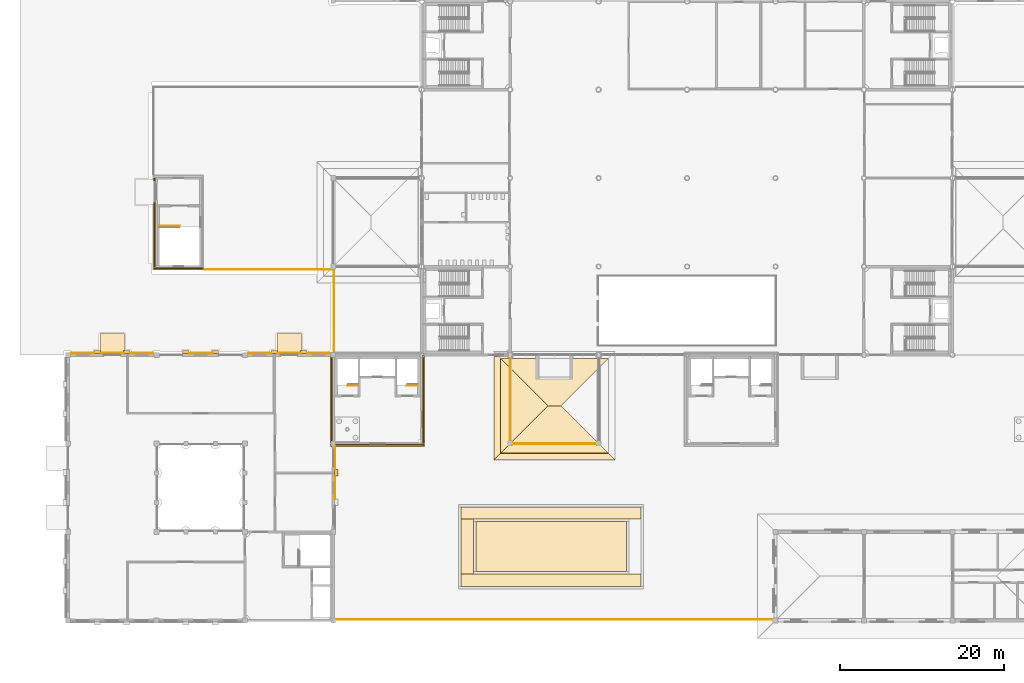
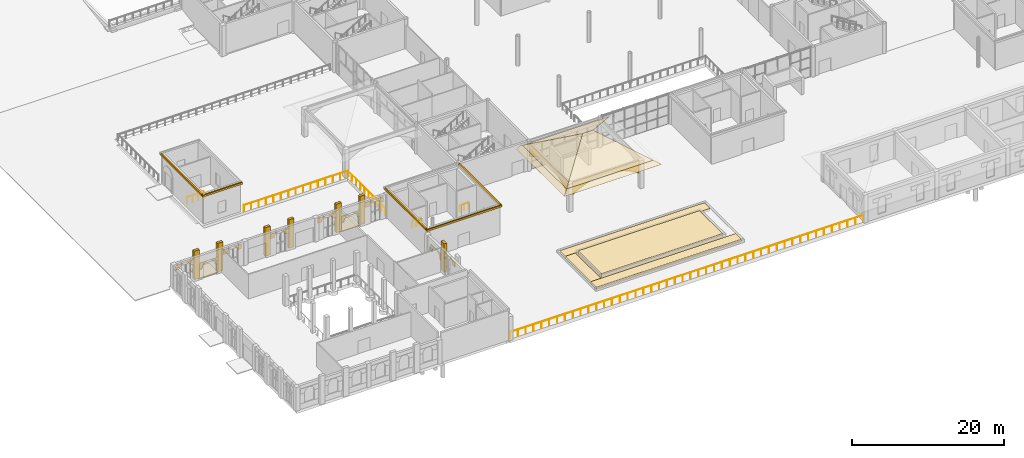
# One storey, part 76 of 91: 34 coverings, 5 railings.
"""IFC4 building model written with IfcOpenShell, lengths in metres."""

from ifc_helpers import new_model, si_unit, direction, frame, origin, origin_2d, place, context, subcontext, project, spatial, polyline, rectangle, circle, outline, extrude, material, layer, layer_set, type_object, element, save


model = new_model("IFC4")

# Units and contexts
model_context = context("Model", 3, precision=1e-05, world=origin(), true_north=direction((0.0, 1.0)))
body_context = subcontext(model_context, "Body", "Model", "MODEL_VIEW")
ifc_project = project(units=[si_unit("LENGTHUNIT", "METRE"), si_unit("AREAUNIT", "SQUARE_METRE"), si_unit("VOLUMEUNIT", "CUBIC_METRE"), si_unit("PLANEANGLEUNIT", "RADIAN"), si_unit("MASSUNIT", "GRAM", prefix="KILO")], contexts=[model_context])

# Site, building, storey
site_placement = place(None, origin())
site = spatial("IfcSite", under=ifc_project, at=site_placement, CompositionType="ELEMENT")
building_placement = place(site_placement, origin())
building = spatial("IfcBuilding", under=site, at=building_placement, Name="Magnolia Steps Interchange", CompositionType="ELEMENT")
storey_placement = place(building_placement, origin())
storey = spatial("IfcBuildingStorey", under=building, at=storey_placement, Name="L00", CompositionType="ELEMENT", Elevation=0.0)

# Coverings
ifc_material_1 = material(Name="Clay pantile")
ifc_layer_1 = layer(ifc_material_1, 0.0400390625)
ifc_layer_set_1 = layer_set([ifc_layer_1], Name="Clay pantile roofing")
covering_type_1 = type_object("IfcCoveringType", Name="Clay pantile roofing", PredefinedType="ROOFING", material=ifc_layer_set_1)
for number, where, z_axis, x_axis, name in (
    (1, (62.800048828125, 30.39990234375, 4.65283203125), (0.0, -0.500570799371, 0.865695601708), (1.0, 0.0, 0.0), "Clay pantile roof PT-S2 1"),
    (2, (76.0, 42.0, 4.65283203125), (0.0, 0.500570799371, 0.865695601708), (-1.0, 0.0, 0.0), "Clay pantile roof PT-S2 2"),
):
    element("IfcCovering", number, at=place(storey_placement, frame(where, z_axis=z_axis, x_axis=x_axis)), inside=storey, type_object=covering_type_1, Name=name, PredefinedType="ROOFING", context=body_context, shape_type="SweptSolid", body=[
        extrude(outline(polyline([(0.0, 0.0), (13.199951172, 0.0), (7.399902344, 6.699870967), (5.800048828, 6.699870967), (0.0, 0.0)])), origin(), (0.0, 0.0, -1.0), 0.0400390625),
    ])
covering_1_placement = place(storey_placement, frame((62.800048828125, 42.0, 4.65283203125), z_axis=(-0.500570799371, 0.0, 0.865695601708), x_axis=(0.0, -1.0, 0.0)))
element("IfcCovering", 3, at=covering_1_placement, inside=storey, type_object=covering_type_1, Name="Clay pantile roof PT-S2 3", PredefinedType="ROOFING", context=body_context, shape_type="SweptSolid", body=[
    extrude(outline(polyline([(0.0, 0.0), (11.600097656, 0.0), (5.800048828, 6.699870967), (0.0, 0.0)])), origin(), (0.0, 0.0, -1.0), 0.0400390625),
])
covering_2_placement = place(storey_placement, frame((62.800048828125, 30.39990234375, 4.65283203125), z_axis=(0.0, -0.500713350414, 0.865613158817), x_axis=(1.0, 0.0, 0.0)))
element("IfcCovering", 4, at=covering_2_placement, inside=storey, type_object=covering_type_1, Name="Clay pantile eave Portico roof slab PT-S2 1 1", PredefinedType="ROOFING", context=body_context, shape_type="SweptSolid", body=[
    extrude(outline(polyline([(0.0, 0.0), (13.199951172, 0.0), (14.0, -0.923974733), (-0.800048828, -0.923974733), (0.0, 0.0)])), origin(), (0.0, 0.0, -1.0), 0.0400390625),
])
covering_3_placement = place(storey_placement, frame((62.0, 29.60009765625, 4.190185546875), z_axis=(-0.500598431057, 2.176498e-06, 0.865679623659), x_axis=(1.089552e-06, 0.999999999998, -1.88415e-06)))
element("IfcCovering", 5, at=covering_3_placement, inside=storey, type_object=covering_type_1, Name="Clay pantile eave Portico roof slab PT-S2 3 1", PredefinedType="ROOFING", context=body_context, shape_type="SweptSolid", body=[
    extrude(outline(polyline([(0.0, 0.0), (12.604980469, 0.0), (12.604980469, -0.687256941), (12.399902344, -0.924186073), (0.799804687, -0.924186073), (0.0, 0.0)])), origin(), (0.0, 0.0, -1.0), 0.0400390625),
])
ifc_material_2 = material(Name="Lime render")
ifc_layer_2 = layer(ifc_material_2, 0.080078125)
ifc_layer_set_2 = layer_set([ifc_layer_2], Name="Lime render arch infill")
covering_type_2 = type_object("IfcCoveringType", Name="Lime render arch infill", PredefinedType="CLADDING", material=ifc_layer_set_2)
covering_4_placement = place(storey_placement, frame((42.574951171875, 24.800048828125, 2.530029296875), z_axis=(-1.0, 0.0, 0.0), x_axis=(0.0, 0.0, 1.0)))
element("IfcCovering", 6, at=covering_4_placement, inside=storey, type_object=covering_type_2, Name="Arched head over opening g2", PredefinedType="CLADDING", context=body_context, shape_type="SweptSolid", body=[
    extrude(outline(polyline([(0.0, 0.0), (0.770019531, 0.0), (0.770019531, 2.800048828), (0.0, 2.800048828), (0.0, 2.149902344), (0.166992188, 2.131103516), (0.325439453, 2.075683594), (0.467529297, 1.986328125), (0.586425781, 1.867431641), (0.67578125, 1.725341797), (0.731201172, 1.566894531), (0.75, 1.399902344), (0.731201172, 1.233154297), (0.67578125, 1.074462891), (0.586425781, 0.932373047), (0.467529297, 0.813476562), (0.325439453, 0.724365234), (0.166992188, 0.668701172), (0.0, 0.649902344), (0.0, 0.0)])), origin(), (0.0, 0.0, -1.0), 0.080078125),
])
covering_5_placement = place(storey_placement, frame((42.574951171875, 28.39990234375, 1.3798828125), z_axis=(-1.0, 0.0, 0.0), x_axis=(0.0, 0.0, 1.0)))
element("IfcCovering", 7, at=covering_5_placement, inside=storey, type_object=covering_type_2, Name="Arched head over doorway D00285", PredefinedType="CLADDING", context=body_context, shape_type="SweptSolid", body=[
    extrude(outline(polyline([(0.0, 0.0), (1.020019531, 0.0), (1.020019531, 2.800048828), (0.0, 2.800048828), (0.0, 2.400146484), (0.22265625, 2.375), (0.434082031, 2.301025391), (0.623535156, 2.181884766), (0.781982422, 2.023681641), (0.901123047, 1.833984375), (0.975097656, 1.622558594), (1.0, 1.400146484), (0.975097656, 1.177490234), (0.901123047, 0.966308594), (0.781982422, 0.776611328), (0.623535156, 0.618408203), (0.434082031, 0.499023438), (0.22265625, 0.425292969), (0.0, 0.400146484), (0.0, 0.0)])), origin(), (0.0, 0.0, -1.0), 0.080078125),
])
covering_6_placement = place(storey_placement, frame((39.85009765625, 42.574951171875, 2.530029296875), z_axis=(0.0, -1.0, 0.0), x_axis=(0.111866505497, 0.0, 0.993723243639)))
element("IfcCovering", 8, at=covering_6_placement, inside=storey, type_object=covering_type_2, Name="Arched head over opening g10", PredefinedType="CLADDING", context=body_context, shape_type="SweptSolid", body=[
    extrude(outline(polyline([(0.0, 0.0), (0.168046977, 0.0), (0.331699341, -0.037347123), (0.482893206, -0.110246635), (0.614316629, -0.214853692), (0.71903364, -0.346298397), (0.791830647, -0.497551495), (0.829192312, -0.661392554), (0.829165001, -0.829196923), (0.791817878, -0.992849287), (0.718945677, -1.144285759), (0.6140687, -1.275493885), (0.482866604, -1.380183586), (0.331640817, -1.453223201), (0.167799758, -1.490584865), (0.240502062, -2.136407931), (1.005688369, -2.050268536), (0.692456691, 0.732205067), (-0.072729615, 0.646065673), (0.0, 0.0)])), origin(), (0.0, 0.0, -1.0), 0.080078125),
])
covering_7_placement = place(storey_placement, frame((11.050048828125, 42.574951171875, 2.530029296875), z_axis=(0.0, -1.0, 0.0), x_axis=(0.111866505497, 0.0, 0.993723243639)))
element("IfcCovering", 9, at=covering_7_placement, inside=storey, type_object=covering_type_2, Name="Arched head over opening g2", PredefinedType="CLADDING", context=body_context, shape_type="SweptSolid", body=[
    extrude(outline(polyline([(0.0, 0.0), (0.168046977, 0.0), (0.331699341, -0.037347123), (0.482893206, -0.110246635), (0.61434394, -0.2150963), (0.71903364, -0.346298397), (0.791830647, -0.497551495), (0.829192312, -0.661392554), (0.829165001, -0.829196923), (0.791845189, -0.993091895), (0.718945677, -1.144285759), (0.614096011, -1.275736494), (0.482866604, -1.380183586), (0.331640817, -1.453223201), (0.167799758, -1.490584865), (0.240502062, -2.136407931), (1.005688369, -2.050268536), (0.692456691, 0.732205067), (-0.072729615, 0.646065673), (0.0, 0.0)])), origin(), (0.0, 0.0, -1.0), 0.080078125),
])
covering_8_placement = place(storey_placement, frame((18.25, 42.574951171875, 2.530029296875), z_axis=(0.0, -1.0, 0.0), x_axis=(0.111866505497, 0.0, 0.993723243639)))
element("IfcCovering", 10, at=covering_8_placement, inside=storey, type_object=covering_type_2, Name="Arched head over opening g4", PredefinedType="CLADDING", context=body_context, shape_type="SweptSolid", body=[
    extrude(outline(polyline([(0.0, 0.0), (0.168046977, 0.0), (0.331699341, -0.037347123), (0.482893206, -0.110246635), (0.61434394, -0.2150963), (0.71903364, -0.346298397), (0.791830647, -0.497551495), (0.829192312, -0.661392554), (0.829192312, -0.829439531), (0.791845189, -0.993091895), (0.718945677, -1.144285759), (0.614096011, -1.275736494), (0.482893915, -1.380426194), (0.331640817, -1.453223201), (0.167799758, -1.490584865), (0.240502062, -2.136407931), (1.005688369, -2.050268536), (0.692484002, 0.731962459), (-0.072702304, 0.645823065), (0.0, 0.0)])), origin(), (0.0, 0.0, -1.0), 0.080078125),
])
covering_9_placement = place(storey_placement, frame((25.449951171875, 42.574951171875, 2.530029296875), z_axis=(0.0, -1.0, 0.0), x_axis=(0.111866505497, 0.0, 0.993723243639)))
element("IfcCovering", 11, at=covering_9_placement, inside=storey, type_object=covering_type_2, Name="Arched head over opening g6", PredefinedType="CLADDING", context=body_context, shape_type="SweptSolid", body=[
    extrude(outline(polyline([(0.0, 0.0), (0.168046977, 0.0), (0.331726652, -0.037589731), (0.482893206, -0.110246635), (0.61434394, -0.2150963), (0.71903364, -0.346298397), (0.791857958, -0.497794103), (0.829192312, -0.661392554), (0.829192312, -0.829439531), (0.791845189, -0.993091895), (0.718945677, -1.144285759), (0.614096011, -1.275736494), (0.482893915, -1.380426194), (0.331640817, -1.453223201), (0.167799758, -1.490584865), (0.240529374, -2.136650539), (1.00571568, -2.050511145), (0.692484002, 0.731962459), (-0.072702304, 0.645823065), (0.0, 0.0)])), origin(), (0.0, 0.0, -1.0), 0.080078125),
])
covering_10_placement = place(storey_placement, frame((32.64990234375, 42.574951171875, 2.530029296875), z_axis=(0.0, -1.0, 0.0), x_axis=(0.111866505497, 0.0, 0.993723243639)))
element("IfcCovering", 12, at=covering_10_placement, inside=storey, type_object=covering_type_2, Name="Arched head over opening g8", PredefinedType="CLADDING", context=body_context, shape_type="SweptSolid", body=[
    extrude(outline(polyline([(0.0, 0.0), (0.168046977, 0.0), (0.331726652, -0.037589731), (0.482920517, -0.110489243), (0.61434394, -0.2150963), (0.719060952, -0.346541005), (0.791857958, -0.497794103), (0.829192312, -0.661392554), (0.829192312, -0.829439531), (0.791845189, -0.993091895), (0.718972988, -1.144528367), (0.614096011, -1.275736494), (0.482893915, -1.380426194), (0.331640817, -1.453223201), (0.167799758, -1.490584865), (0.240529374, -2.136650539), (1.00571568, -2.050511145), (0.692484002, 0.731962459), (-0.072702304, 0.645823065), (0.0, 0.0)])), origin(), (0.0, 0.0, -1.0), 0.080078125),
])
covering_11_placement = place(storey_placement, frame((14.39990234375, 42.574951171875, 1.3798828125), z_axis=(0.0, -1.0, 0.0), x_axis=(0.112225141393, 0.0, 0.993682805345)))
element("IfcCovering", 13, at=covering_11_placement, inside=storey, type_object=covering_type_2, Name="Arched head over doorway D00285", PredefinedType="CLADDING", context=body_context, shape_type="SweptSolid", body=[
    extrude(outline(polyline([(0.0, 0.0), (0.224071755, 0.0), (0.442463729, -0.049780009), (0.644090616, -0.146906596), (0.819318706, -0.286571153), (0.9589681, -0.461456892), (1.056202686, -0.663245244), (1.105907947, -0.881457664), (1.106150545, -1.10550202), (1.056370536, -1.323893995), (0.959243949, -1.525520881), (0.819579393, -1.700748971), (0.644693653, -1.840398365), (0.442905301, -1.937632951), (0.224450283, -1.987365611), (0.269356779, -2.384984292), (1.282932648, -2.270512456), (0.968696772, 0.511847919), (-0.044879097, 0.397376083), (0.0, 0.0)])), origin(), (0.0, 0.0, -1.0), 0.080078125),
])
covering_12_placement = place(storey_placement, frame((36.0, 42.574951171875, 1.3798828125), z_axis=(0.0, -1.0, 0.0), x_axis=(0.112225141393, 0.0, 0.993682805345)))
element("IfcCovering", 14, at=covering_12_placement, inside=storey, type_object=covering_type_2, Name="Arched head over doorway D00285", PredefinedType="CLADDING", context=body_context, shape_type="SweptSolid", body=[
    extrude(outline(polyline([(0.0, 0.0), (0.224071755, 0.0), (0.442463729, -0.049780009), (0.644090616, -0.146906596), (0.819291307, -0.286328554), (0.9589681, -0.461456892), (1.056202686, -0.663245244), (1.105907947, -0.881457664), (1.106123146, -1.105259422), (1.056343137, -1.323651396), (0.959243949, -1.525520881), (0.819551994, -1.700506373), (0.644666255, -1.840155767), (0.442877902, -1.937390352), (0.224450283, -1.987365611), (0.26932938, -2.384741693), (1.282905249, -2.270269857), (0.968696772, 0.511847919), (-0.044879097, 0.397376083), (0.0, 0.0)])), origin(), (0.0, 0.0, -1.0), 0.080078125),
])
covering_13_placement = place(storey_placement, frame((64.35009765625, 31.60009765625, 2.39990234375), z_axis=(0.0, 1.0, 0.0), x_axis=(0.0, 0.0, 1.0)))
element("IfcCovering", 15, at=covering_13_placement, inside=storey, type_object=covering_type_2, Name="Portico arch PT-S2 S", PredefinedType="CLADDING", context=body_context, shape_type="SweptSolid", body=[
    extrude(outline(polyline([(0.0, 0.0), (2.100097656, 0.0), (2.100097656, 10.099853516), (0.0, 10.099853516), (0.391113281, 9.538818359), (0.71875, 8.977783203), (0.991455078, 8.416503906), (1.214599609, 7.85546875), (1.392822266, 7.294189453), (1.528808594, 6.733154297), (1.624511719, 6.172119141), (1.681152344, 5.611083984), (1.700195312, 5.049804688), (1.681152344, 4.488769531), (1.624511719, 3.927734375), (1.528808594, 3.366699219), (1.392822266, 2.805419922), (1.214599609, 2.244384766), (0.991455078, 1.683105469), (0.71875, 1.122070312), (0.391113281, 0.561035156), (0.0, 0.0)])), origin(), (0.0, 0.0, -1.0), 0.080078125),
])
covering_14_placement = place(storey_placement, frame((64.0, 32.510986328125, 2.791015625), z_axis=(1.0, 0.0, 0.0), x_axis=(0.0, 0.86362899029, 0.504127927346)))
element("IfcCovering", 16, at=covering_14_placement, inside=storey, type_object=covering_type_2, Name="Portico arch PT-S2 W", PredefinedType="CLADDING", context=body_context, shape_type="SweptSolid", body=[
    extrude(outline(polyline([(0.0, 0.0), (0.649907892, 0.0), (1.271912364, -0.047317479), (1.868931979, -0.137436883), (2.44351607, -0.266475199), (2.996596801, -0.431866955), (3.529369645, -0.632048452), (4.042660838, -0.866088535), (4.536787156, -1.132475965), (5.011713289, -1.431755516), (5.467896241, -1.76362857), (5.904175848, -2.129114054), (6.320147568, -2.52938928), (6.715037622, -2.966264101), (7.087070457, -3.441811678), (7.434118437, -3.960161179), (7.75368469, -4.526074316), (8.041039787, -5.146684575), (9.099757666, -3.332979357), (0.377020525, 1.758761941), (-0.681697353, -0.054943278), (0.0, 0.0)])), origin(), (0.0, 0.0, -1.0), 0.080078125),
])
ifc_material_3 = material(Name="Lime render")
ifc_layer_3 = layer(ifc_material_3, 0.199951171875)
ifc_layer_set_3 = layer_set([ifc_layer_3], Name="Lime render cornice")
covering_type_3 = type_object("IfcCoveringType", Name="Lime render cornice", PredefinedType="CLADDING", material=ifc_layer_set_3)
covering_15_placement = place(storey_placement, frame((23.5, 52.97509765625, 4.5), z_axis=(0.0, 0.0, 1.0), x_axis=(1.0, 0.0, 0.0)))
element("IfcCovering", 17, at=covering_15_placement, inside=storey, type_object=covering_type_3, Name="Cornice BE-W S", PredefinedType="CLADDING", context=body_context, shape_type="SweptSolid", body=[
    extrude(rectangle(XDim=6.050048828125, YDim=0.199951171875, at=origin_2d()), origin(), (0.0, 0.0, 1.0), 0.300048828125),
])
covering_16_placement = place(storey_placement, frame((20.574951171875, 58.60009765625, 4.5), z_axis=(0.0, 0.0, 1.0), x_axis=(1.0, 0.0, 0.0)))
element("IfcCovering", 18, at=covering_16_placement, inside=storey, type_object=covering_type_3, Name="Cornice BE-W W", PredefinedType="CLADDING", context=body_context, shape_type="SweptSolid", body=[
    extrude(rectangle(XDim=0.199951171875, YDim=10.800048828125, at=origin_2d()), origin(), (0.0, 0.0, 1.0), 0.300048828125),
])
covering_17_placement = place(storey_placement, frame((47.800048828125, 31.375, 4.5), z_axis=(0.0, 0.0, 1.0), x_axis=(1.0, 0.0, 0.0)))
element("IfcCovering", 19, at=covering_17_placement, inside=storey, type_object=covering_type_3, Name="Cornice BC1 S", PredefinedType="CLADDING", context=body_context, shape_type="SweptSolid", body=[
    extrude(rectangle(XDim=11.449951171875, YDim=0.199951171875, at=origin_2d()), origin(), (0.0, 0.0, 1.0), 0.300048828125),
])
for number, where, z_axis, x_axis, name in (
    (20, (42.175048828125, 37.0, 4.5), (0.0, 0.0, 1.0), (1.0, 0.0, 0.0), "Cornice BC1 W"),
    (21, (53.425048828125, 37.0, 4.5), (0.0, 0.0, 1.0), (1.0, 0.0, 0.0), "Cornice BC1 E"),
):
    element("IfcCovering", number, at=place(storey_placement, frame(where, z_axis=z_axis, x_axis=x_axis)), inside=storey, type_object=covering_type_3, Name=name, PredefinedType="CLADDING", context=body_context, shape_type="SweptSolid", body=[
        extrude(rectangle(XDim=0.199951171875, YDim=10.800048828125, at=origin_2d()), origin(), (0.0, 0.0, 1.0), 0.300048828125),
    ])
ifc_material_4 = material(Name="Lime render")
ifc_layer_4 = layer(ifc_material_4, 0.39990234375)
ifc_layer_set_4 = layer_set([ifc_layer_4], Name="Lime render pilaster")
covering_type_4 = type_object("IfcCoveringType", Name="Lime render pilaster", PredefinedType="CLADDING", material=ifc_layer_set_4)
for number, where, z_axis, x_axis, name in (
    (22, (13.60009765625, 42.77490234375, 0.0), (0.0, 0.0, 1.0), (1.0, 0.0, 0.0), "Hub pilaster N 1"),
    (23, (17.199951171875, 42.77490234375, 0.0), (0.0, 0.0, 1.0), (1.0, 0.0, 0.0), "Hub pilaster N 2"),
    (24, (24.39990234375, 42.77490234375, 0.0), (0.0, 0.0, 1.0), (1.0, 0.0, 0.0), "Hub pilaster N 3"),
    (25, (28.0, 42.77490234375, 0.0), (0.0, 0.0, 1.0), (1.0, 0.0, 0.0), "Hub pilaster N 4"),
    (26, (35.199951171875, 42.77490234375, 0.0), (0.0, 0.0, 1.0), (1.0, 0.0, 0.0), "Hub pilaster N 5"),
    (27, (38.800048828125, 42.77490234375, 0.0), (0.0, 0.0, 1.0), (1.0, 0.0, 0.0), "Hub pilaster N 6"),
):
    element("IfcCovering", number, at=place(storey_placement, frame(where, z_axis=z_axis, x_axis=x_axis)), inside=storey, type_object=covering_type_4, Name=name, PredefinedType="CLADDING", context=body_context, shape_type="SweptSolid", body=[
        extrude(rectangle(XDim=0.800048828125, YDim=0.39990234375, at=origin_2d()), origin(), (0.0, 0.0, 1.0), 4.60009765625),
    ])
covering_18_placement = place(storey_placement, frame((42.77490234375, 28.0, 0.0), z_axis=(0.0, 0.0, 1.0), x_axis=(1.0, 0.0, 0.0)))
element("IfcCovering", 28, at=covering_18_placement, inside=storey, type_object=covering_type_4, Name="Hub pilaster E 4", PredefinedType="CLADDING", context=body_context, shape_type="SweptSolid", body=[
    extrude(rectangle(XDim=0.39990234375, YDim=0.800048828125, at=origin_2d()), origin(), (0.0, 0.0, 1.0), 4.60009765625),
])
ifc_material_5 = material(Name="Planting soil")
ifc_layer_5 = layer(ifc_material_5, 0.449951171875)
ifc_layer_set_5 = layer_set([ifc_layer_5], Name="Planting soil 450")
covering_type_5 = type_object("IfcCoveringType", Name="Planting soil 450", PredefinedType="FLOORING", material=ifc_layer_set_5)
for number, where, z_axis, x_axis, name in (
    (29, (69.0, 14.89990234375, 0.0), (0.0, 0.0, 1.0), (1.0, 0.0, 0.0), "Forecourt garden bed 1 terrace soil south"),
    (30, (69.0, 23.10009765625, 0.0), (0.0, 0.0, 1.0), (1.0, 0.0, 0.0), "Forecourt garden bed 1 terrace soil north"),
):
    element("IfcCovering", number, at=place(storey_placement, frame(where, z_axis=z_axis, x_axis=x_axis)), inside=storey, type_object=covering_type_5, Name=name, PredefinedType="FLOORING", context=body_context, shape_type="SweptSolid", body=[
        extrude(rectangle(XDim=22.0, YDim=1.5, at=origin_2d()), origin(), (0.0, 0.0, 1.0), 0.39990234375),
    ])
covering_19_placement = place(storey_placement, frame((58.75, 19.0, 0.0), z_axis=(0.0, 0.0, 1.0), x_axis=(1.0, 0.0, 0.0)))
element("IfcCovering", 31, at=covering_19_placement, inside=storey, type_object=covering_type_5, Name="Forecourt garden bed 1 terrace soil west", PredefinedType="FLOORING", context=body_context, shape_type="SweptSolid", body=[
    extrude(rectangle(XDim=1.5, YDim=6.699951171875, at=origin_2d()), origin(), (0.0, 0.0, 1.0), 0.39990234375),
])
covering_20_placement = place(storey_placement, frame((69.0, 19.0, 0.0), z_axis=(0.0, 0.0, 1.0), x_axis=(1.0, 0.0, 0.0)))
element("IfcCovering", 32, at=covering_20_placement, inside=storey, type_object=covering_type_5, Name="Forecourt garden bed 1 inner bed soil", PredefinedType="FLOORING", context=body_context, shape_type="SweptSolid", body=[
    extrude(rectangle(XDim=18.39990234375, YDim=6.10009765625, at=origin_2d()), origin(), (0.0, 0.0, 1.0), 0.85009765625),
])

# Railings
ifc_material_6 = material(Name="Painted steel Q355B", Category="steel")
railing_type_1 = type_object("IfcRailingType", Name="Plinth balustrade 1100", PredefinedType="GUARDRAIL", material=ifc_material_6)
railing_1_placement = place(storey_placement, frame((42.5, 10.10009765625, 0.0)))
element("IfcRailing", 33, at=railing_1_placement, inside=storey, type_object=railing_type_1, Name="Plinth edge balustrade west", PredefinedType="GUARDRAIL", context=body_context, shape_type="SweptSolid", body=[
    extrude(circle(Radius=0.030029296875, at=origin_2d()), frame((0.0, 0.0, 1.070068359375), z_axis=(1.0, 0.0, 0.0), x_axis=(0.0, 1.0, 0.0)), (0.0, 0.0, 1.0), 53.699951171875),
    extrude(circle(Radius=0.02001953125, at=origin_2d()), origin(), (0.0, 0.0, 1.0), 1.0400390625),
    extrude(circle(Radius=0.02001953125, at=origin_2d()), frame((1.193359375, 0.0, 0.0)), (0.0, 0.0, 1.0), 1.0400390625),
    extrude(circle(Radius=0.02001953125, at=origin_2d()), frame((2.38671875, 0.0, 0.0)), (0.0, 0.0, 1.0), 1.0400390625),
    extrude(circle(Radius=0.02001953125, at=origin_2d()), frame((3.580078125, 0.0, 0.0)), (0.0, 0.0, 1.0), 1.0400390625),
    extrude(circle(Radius=0.02001953125, at=origin_2d()), frame((4.7734375, 0.0, 0.0)), (0.0, 0.0, 1.0), 1.0400390625),
    extrude(circle(Radius=0.02001953125, at=origin_2d()), frame((5.966552734375, 0.0, 0.0)), (0.0, 0.0, 1.0), 1.0400390625),
    extrude(circle(Radius=0.02001953125, at=origin_2d()), frame((7.159912109375, 0.0, 0.0)), (0.0, 0.0, 1.0), 1.0400390625),
    extrude(circle(Radius=0.02001953125, at=origin_2d()), frame((8.353271484375, 0.0, 0.0)), (0.0, 0.0, 1.0), 1.0400390625),
    extrude(circle(Radius=0.02001953125, at=origin_2d()), frame((9.546630859375, 0.0, 0.0)), (0.0, 0.0, 1.0), 1.0400390625),
    extrude(circle(Radius=0.02001953125, at=origin_2d()), frame((10.739990234375, 0.0, 0.0)), (0.0, 0.0, 1.0), 1.0400390625),
    extrude(circle(Radius=0.02001953125, at=origin_2d()), frame((11.933349609375, 0.0, 0.0)), (0.0, 0.0, 1.0), 1.0400390625),
    extrude(circle(Radius=0.02001953125, at=origin_2d()), frame((13.126708984375, 0.0, 0.0)), (0.0, 0.0, 1.0), 1.0400390625),
    extrude(circle(Radius=0.02001953125, at=origin_2d()), frame((14.320068359375, 0.0, 0.0)), (0.0, 0.0, 1.0), 1.0400390625),
    extrude(circle(Radius=0.02001953125, at=origin_2d()), frame((15.513427734375, 0.0, 0.0)), (0.0, 0.0, 1.0), 1.0400390625),
    extrude(circle(Radius=0.02001953125, at=origin_2d()), frame((16.70654296875, 0.0, 0.0)), (0.0, 0.0, 1.0), 1.0400390625),
    extrude(circle(Radius=0.02001953125, at=origin_2d()), frame((17.89990234375, 0.0, 0.0)), (0.0, 0.0, 1.0), 1.0400390625),
    extrude(circle(Radius=0.02001953125, at=origin_2d()), frame((19.09326171875, 0.0, 0.0)), (0.0, 0.0, 1.0), 1.0400390625),
    extrude(circle(Radius=0.02001953125, at=origin_2d()), frame((20.28662109375, 0.0, 0.0)), (0.0, 0.0, 1.0), 1.0400390625),
    extrude(circle(Radius=0.02001953125, at=origin_2d()), frame((21.47998046875, 0.0, 0.0)), (0.0, 0.0, 1.0), 1.0400390625),
    extrude(circle(Radius=0.02001953125, at=origin_2d()), frame((22.67333984375, 0.0, 0.0)), (0.0, 0.0, 1.0), 1.0400390625),
    extrude(circle(Radius=0.02001953125, at=origin_2d()), frame((23.86669921875, 0.0, 0.0)), (0.0, 0.0, 1.0), 1.0400390625),
    extrude(circle(Radius=0.02001953125, at=origin_2d()), frame((25.06005859375, 0.0, 0.0)), (0.0, 0.0, 1.0), 1.0400390625),
    extrude(circle(Radius=0.02001953125, at=origin_2d()), frame((26.25341796875, 0.0, 0.0)), (0.0, 0.0, 1.0), 1.0400390625),
    extrude(circle(Radius=0.02001953125, at=origin_2d()), frame((27.446533203125, 0.0, 0.0)), (0.0, 0.0, 1.0), 1.0400390625),
    extrude(circle(Radius=0.02001953125, at=origin_2d()), frame((28.639892578125, 0.0, 0.0)), (0.0, 0.0, 1.0), 1.0400390625),
    extrude(circle(Radius=0.02001953125, at=origin_2d()), frame((29.833251953125, 0.0, 0.0)), (0.0, 0.0, 1.0), 1.0400390625),
    extrude(circle(Radius=0.02001953125, at=origin_2d()), frame((31.026611328125, 0.0, 0.0)), (0.0, 0.0, 1.0), 1.0400390625),
    extrude(circle(Radius=0.02001953125, at=origin_2d()), frame((32.219970703125, 0.0, 0.0)), (0.0, 0.0, 1.0), 1.0400390625),
    extrude(circle(Radius=0.02001953125, at=origin_2d()), frame((33.413330078125, 0.0, 0.0)), (0.0, 0.0, 1.0), 1.0400390625),
    extrude(circle(Radius=0.02001953125, at=origin_2d()), frame((34.606689453125, 0.0, 0.0)), (0.0, 0.0, 1.0), 1.0400390625),
    extrude(circle(Radius=0.02001953125, at=origin_2d()), frame((35.800048828125, 0.0, 0.0)), (0.0, 0.0, 1.0), 1.0400390625),
    extrude(circle(Radius=0.02001953125, at=origin_2d()), frame((36.993408203125, 0.0, 0.0)), (0.0, 0.0, 1.0), 1.0400390625),
    extrude(circle(Radius=0.02001953125, at=origin_2d()), frame((38.1865234375, 0.0, 0.0)), (0.0, 0.0, 1.0), 1.0400390625),
    extrude(circle(Radius=0.02001953125, at=origin_2d()), frame((39.3798828125, 0.0, 0.0)), (0.0, 0.0, 1.0), 1.0400390625),
    extrude(circle(Radius=0.02001953125, at=origin_2d()), frame((40.5732421875, 0.0, 0.0)), (0.0, 0.0, 1.0), 1.0400390625),
    extrude(circle(Radius=0.02001953125, at=origin_2d()), frame((41.7666015625, 0.0, 0.0)), (0.0, 0.0, 1.0), 1.0400390625),
    extrude(circle(Radius=0.02001953125, at=origin_2d()), frame((42.9599609375, 0.0, 0.0)), (0.0, 0.0, 1.0), 1.0400390625),
    extrude(circle(Radius=0.02001953125, at=origin_2d()), frame((44.1533203125, 0.0, 0.0)), (0.0, 0.0, 1.0), 1.0400390625),
    extrude(circle(Radius=0.02001953125, at=origin_2d()), frame((45.3466796875, 0.0, 0.0)), (0.0, 0.0, 1.0), 1.0400390625),
    extrude(circle(Radius=0.02001953125, at=origin_2d()), frame((46.5400390625, 0.0, 0.0)), (0.0, 0.0, 1.0), 1.0400390625),
    extrude(circle(Radius=0.02001953125, at=origin_2d()), frame((47.7333984375, 0.0, 0.0)), (0.0, 0.0, 1.0), 1.0400390625),
    extrude(circle(Radius=0.02001953125, at=origin_2d()), frame((48.926513671875, 0.0, 0.0)), (0.0, 0.0, 1.0), 1.0400390625),
    extrude(circle(Radius=0.02001953125, at=origin_2d()), frame((50.119873046875, 0.0, 0.0)), (0.0, 0.0, 1.0), 1.0400390625),
    extrude(circle(Radius=0.02001953125, at=origin_2d()), frame((51.313232421875, 0.0, 0.0)), (0.0, 0.0, 1.0), 1.0400390625),
    extrude(circle(Radius=0.02001953125, at=origin_2d()), frame((52.506591796875, 0.0, 0.0)), (0.0, 0.0, 1.0), 1.0400390625),
    extrude(circle(Radius=0.02001953125, at=origin_2d()), frame((53.699951171875, 0.0, 0.0)), (0.0, 0.0, 1.0), 1.0400390625),
])
railing_2_placement = place(storey_placement, frame((42.5, 42.89990234375, 0.0)))
element("IfcRailing", 34, at=railing_2_placement, inside=storey, type_object=railing_type_1, Name="Plinth edge balustrade 2", PredefinedType="GUARDRAIL", context=body_context, shape_type="SweptSolid", body=[
    extrude(circle(Radius=0.030029296875, at=origin_2d()), frame((0.0, 0.0, 1.070068359375), z_axis=(0.0, 1.0, 0.0), x_axis=(-1.0, 0.0, 0.0)), (0.0, 0.0, 1.0), 9.9501953125),
    extrude(circle(Radius=0.030029296875, at=origin_2d()), frame((0.0, 9.9501953125, 1.070068359375), z_axis=(-1.0, 0.0, 0.0), x_axis=(0.0, -1.0, 0.0)), (0.0, 0.0, 1.0), 15.800048828125),
    extrude(circle(Radius=0.02001953125, at=origin_2d()), origin(), (0.0, 0.0, 1.0), 1.0400390625),
    extrude(circle(Radius=0.02001953125, at=origin_2d()), frame((0.0, 1.10546875, 0.0)), (0.0, 0.0, 1.0), 1.0400390625),
    extrude(circle(Radius=0.02001953125, at=origin_2d()), frame((0.0, 2.211181640625, 0.0)), (0.0, 0.0, 1.0), 1.0400390625),
    extrude(circle(Radius=0.02001953125, at=origin_2d()), frame((0.0, 3.316650390625, 0.0)), (0.0, 0.0, 1.0), 1.0400390625),
    extrude(circle(Radius=0.02001953125, at=origin_2d()), frame((0.0, 4.42236328125, 0.0)), (0.0, 0.0, 1.0), 1.0400390625),
    extrude(circle(Radius=0.02001953125, at=origin_2d()), frame((0.0, 5.52783203125, 0.0)), (0.0, 0.0, 1.0), 1.0400390625),
    extrude(circle(Radius=0.02001953125, at=origin_2d()), frame((0.0, 6.633544921875, 0.0)), (0.0, 0.0, 1.0), 1.0400390625),
    extrude(circle(Radius=0.02001953125, at=origin_2d()), frame((0.0, 7.739013671875, 0.0)), (0.0, 0.0, 1.0), 1.0400390625),
    extrude(circle(Radius=0.02001953125, at=origin_2d()), frame((0.0, 8.8447265625, 0.0)), (0.0, 0.0, 1.0), 1.0400390625),
    extrude(circle(Radius=0.02001953125, at=origin_2d()), frame((0.0, 9.9501953125, 0.0)), (0.0, 0.0, 1.0), 1.0400390625),
    extrude(circle(Radius=0.02001953125, at=origin_2d()), frame((-1.128662109375, 9.9501953125, 0.0)), (0.0, 0.0, 1.0), 1.0400390625),
    extrude(circle(Radius=0.02001953125, at=origin_2d()), frame((-2.257080078125, 9.9501953125, 0.0)), (0.0, 0.0, 1.0), 1.0400390625),
    extrude(circle(Radius=0.02001953125, at=origin_2d()), frame((-3.3857421875, 9.9501953125, 0.0)), (0.0, 0.0, 1.0), 1.0400390625),
    extrude(circle(Radius=0.02001953125, at=origin_2d()), frame((-4.514404296875, 9.9501953125, 0.0)), (0.0, 0.0, 1.0), 1.0400390625),
    extrude(circle(Radius=0.02001953125, at=origin_2d()), frame((-5.642822265625, 9.9501953125, 0.0)), (0.0, 0.0, 1.0), 1.0400390625),
    extrude(circle(Radius=0.02001953125, at=origin_2d()), frame((-6.771484375, 9.9501953125, 0.0)), (0.0, 0.0, 1.0), 1.0400390625),
    extrude(circle(Radius=0.02001953125, at=origin_2d()), frame((-7.89990234375, 9.9501953125, 0.0)), (0.0, 0.0, 1.0), 1.0400390625),
    extrude(circle(Radius=0.02001953125, at=origin_2d()), frame((-9.028564453125, 9.9501953125, 0.0)), (0.0, 0.0, 1.0), 1.0400390625),
    extrude(circle(Radius=0.02001953125, at=origin_2d()), frame((-10.1572265625, 9.9501953125, 0.0)), (0.0, 0.0, 1.0), 1.0400390625),
    extrude(circle(Radius=0.02001953125, at=origin_2d()), frame((-11.28564453125, 9.9501953125, 0.0)), (0.0, 0.0, 1.0), 1.0400390625),
    extrude(circle(Radius=0.02001953125, at=origin_2d()), frame((-12.414306640625, 9.9501953125, 0.0)), (0.0, 0.0, 1.0), 1.0400390625),
    extrude(circle(Radius=0.02001953125, at=origin_2d()), frame((-13.54296875, 9.9501953125, 0.0)), (0.0, 0.0, 1.0), 1.0400390625),
    extrude(circle(Radius=0.02001953125, at=origin_2d()), frame((-14.67138671875, 9.9501953125, 0.0)), (0.0, 0.0, 1.0), 1.0400390625),
    extrude(circle(Radius=0.02001953125, at=origin_2d()), frame((-15.800048828125, 9.9501953125, 0.0)), (0.0, 0.0, 1.0), 1.0400390625),
])
ifc_material_7 = material(Name="Stainless steel grade 304", Category="steel")
railing_type_2 = type_object("IfcRailingType", Name="Stair guard 1100", PredefinedType="GUARDRAIL", material=ifc_material_7)
railing_3_placement = place(storey_placement, frame((21.175048828125, 58.175048828125, 0.0)))
element("IfcRailing", 35, at=railing_3_placement, inside=storey, type_object=railing_type_2, Name="L00 ST15 top well guard 1", PredefinedType="GUARDRAIL", context=body_context, shape_type="SweptSolid", body=[
    extrude(circle(Radius=0.02392578125, at=origin_2d()), frame((0.0, 0.0, 1.076171875), z_axis=(1.0, 0.0, 0.0), x_axis=(0.0, 1.0, 0.0)), (0.0, 0.0, 1.0), 2.5),
    extrude(circle(Radius=0.02099609375, at=origin_2d()), origin(), (0.0, 0.0, 1.0), 1.052001953125),
    extrude(circle(Radius=0.02099609375, at=origin_2d()), frame((0.833251953125, 0.0, 0.0)), (0.0, 0.0, 1.0), 1.052001953125),
    extrude(circle(Radius=0.02099609375, at=origin_2d()), frame((1.666748046875, 0.0, 0.0)), (0.0, 0.0, 1.0), 1.052001953125),
    extrude(circle(Radius=0.02099609375, at=origin_2d()), frame((2.5, 0.0, 0.0)), (0.0, 0.0, 1.0), 1.052001953125),
])
for number, where, name in (
    (36, (45.449951171875, 38.64990234375, 0.0), "L00 ST17 top well guard 1"),
    (37, (52.699951171875, 38.64990234375, 0.0), "L00 ST18 top well guard 1"),
):
    element("IfcRailing", number, at=place(storey_placement, frame(where)), inside=storey, type_object=railing_type_2, Name=name, PredefinedType="GUARDRAIL", context=body_context, shape_type="SweptSolid", body=[
        extrude(circle(Radius=0.02392578125, at=origin_2d()), frame((0.0, 0.0, 1.076171875), z_axis=(-1.0, 0.0, 0.0), x_axis=(0.0, -1.0, 0.0)), (0.0, 0.0, 1.0), 1.349853515625),
        extrude(circle(Radius=0.02099609375, at=origin_2d()), origin(), (0.0, 0.0, 1.0), 1.052001953125),
        extrude(circle(Radius=0.02099609375, at=origin_2d()), frame((-0.6748046875, 0.0, 0.0)), (0.0, 0.0, 1.0), 1.052001953125),
        extrude(circle(Radius=0.02099609375, at=origin_2d()), frame((-1.349853515625, 0.0, 0.0)), (0.0, 0.0, 1.0), 1.052001953125),
    ])

# Coverings
ifc_material_8 = material(Name="Natural stone paving", Category="masonry")
ifc_layer_6 = layer(ifc_material_8, 0.14990234375)
ifc_layer_set_6 = layer_set([ifc_layer_6], Name="Stone paving 150")
covering_type_6 = type_object("IfcCoveringType", Name="Stone paving 150", PredefinedType="FLOORING", material=ifc_layer_set_6)
for number, where, z_axis, x_axis, name in (
    (38, (15.39990234375, 43.78759765625, -0.14990234375), (0.0, 0.0, 1.0), (1.0, 0.0, 0.0), "Entrance paving"),
    (39, (37.0, 43.78759765625, -0.14990234375), (0.0, 0.0, 1.0), (1.0, 0.0, 0.0), "Entrance paving"),
):
    element("IfcCovering", number, at=place(storey_placement, frame(where, z_axis=z_axis, x_axis=x_axis)), inside=storey, type_object=covering_type_6, Name=name, PredefinedType="FLOORING", context=body_context, shape_type="SweptSolid", body=[
        extrude(rectangle(XDim=3.0, YDim=2.425048828125, at=origin_2d()), origin(), (0.0, 0.0, 1.0), 0.14990234375),
    ])

save(model, "model.ifc")
